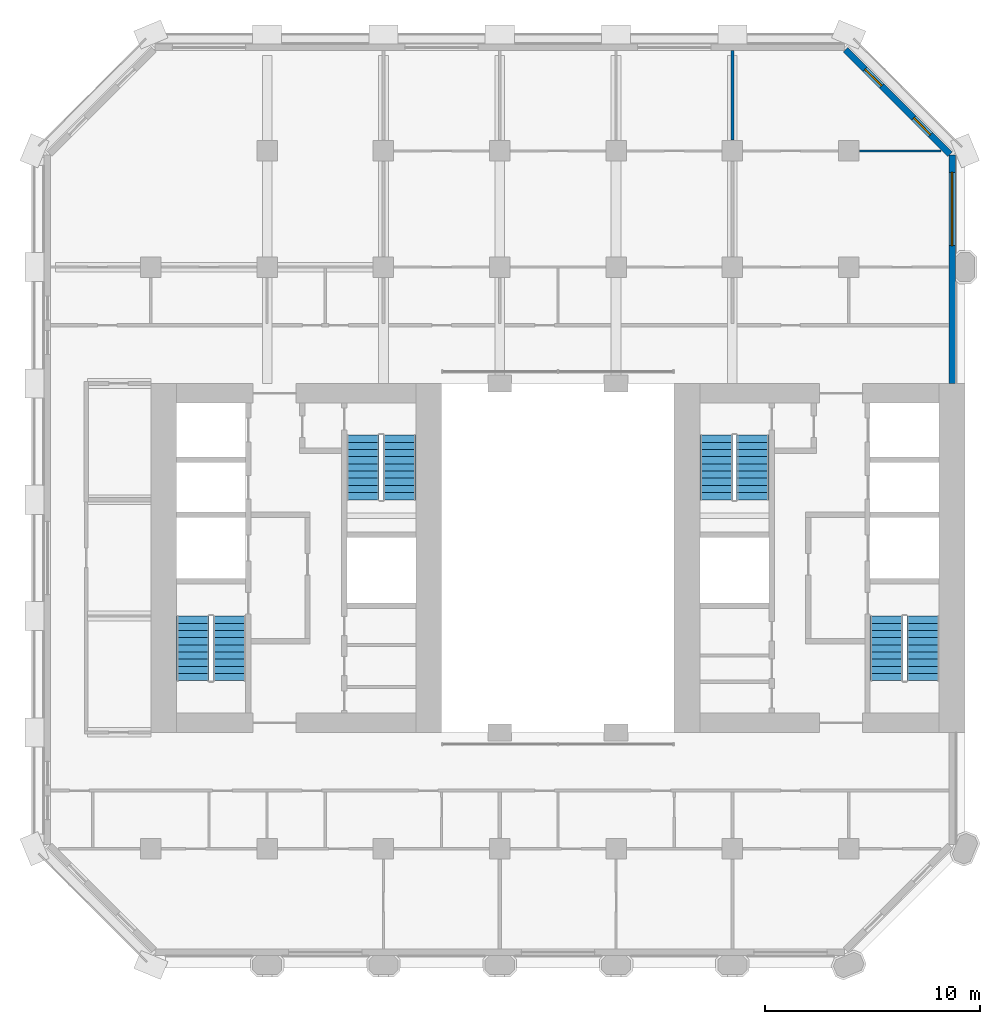
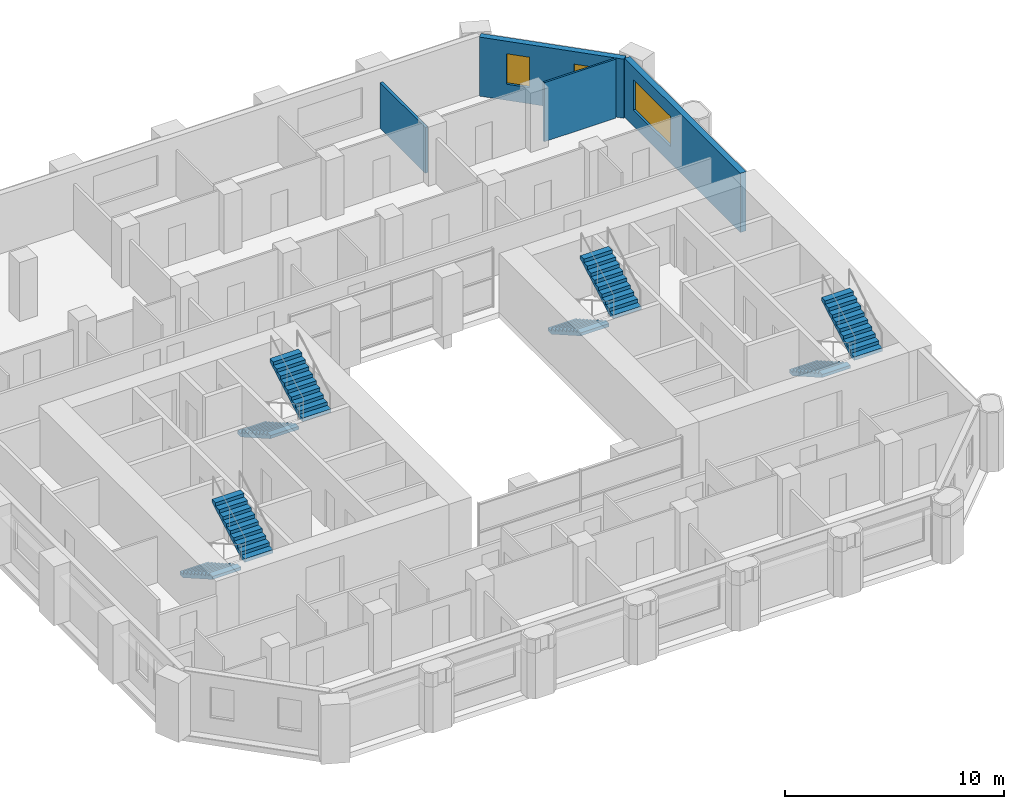
# One storey, part 10 of 13: 8 stair flights, 4 walls, 3 windows, 3 openings, 4 elements without a shape of their own.
"""IFC4 building model written with IfcOpenShell, lengths in metres."""

from ifc_helpers import new_model, si_unit, direction, frame, frame_2d, origin, place, context, subcontext, project, spatial, polyline, rectangle, outline, extrude, material, layer, layer_set, type_object, element, fill, aggregate, save


model = new_model("IFC4")

# Units and contexts
model_context = context("Model", 3, precision=1e-05, world=origin(), true_north=direction((0.0, 1.0)))
body_context = subcontext(model_context, "Body", "Model", "MODEL_VIEW")
ifc_project = project(units=[si_unit("LENGTHUNIT", "METRE"), si_unit("AREAUNIT", "SQUARE_METRE"), si_unit("VOLUMEUNIT", "CUBIC_METRE"), si_unit("PLANEANGLEUNIT", "RADIAN"), si_unit("MASSUNIT", "GRAM", prefix="KILO")], contexts=[model_context])

# Site, building, storey
site_placement = place(None, origin())
site = spatial("IfcSite", under=ifc_project, at=site_placement, CompositionType="ELEMENT")
building_placement = place(site_placement, origin())
building = spatial("IfcBuilding", under=site, at=building_placement, Name="Tabaq Tower and Sports Hall", CompositionType="ELEMENT")
storey_placement = place(building_placement, frame((0.0, 0.0, 122.0)))
storey = spatial("IfcBuildingStorey", under=building, at=storey_placement, Name="L29", CompositionType="ELEMENT", Elevation=122.0)

# Walls
ifc_material_1 = material(Name="Gypsum board on steel studs", Category="steel")
ifc_layer_1 = layer(ifc_material_1, 0.10009765625)
ifc_layer_set_1 = layer_set([ifc_layer_1], Name="Partition 100 Gypsum board")
wall_type_1 = type_object("IfcWallType", Name="Partition 100 Gypsum board", PredefinedType="PARTITIONING", material=ifc_layer_set_1)
wall_1_placement = place(storey_placement, frame((42.087890625, 43.199951171875, 0.0), z_axis=(0.0, 0.0, 1.0), x_axis=(-1.0, 0.0, 0.0)))
element("IfcWall", 1, at=wall_1_placement, inside=storey, type_object=wall_type_1, Name="Partition wall L29", PredefinedType="PARTITIONING", context=body_context, shape_type="SweptSolid", body=[
    extrude(rectangle(XDim=3.79296875, YDim=0.10009765625, at=frame_2d((1.896484375, 0.0))), origin(), (0.0, 0.0, 1.0), 3.300048828125),
])
ifc_material_2 = material(Name="Blockwork", Category="masonry")
ifc_layer_2 = layer(ifc_material_2, 0.14990234375)
ifc_layer_set_2 = layer_set([ifc_layer_2], Name="Separating wall 150 Blockwork")
wall_type_2 = type_object("IfcWallType", Name="Separating wall 150 Blockwork", PredefinedType="PARTITIONING", material=ifc_layer_set_2)
wall_2_placement = place(storey_placement, frame((32.39990234375, 43.695068359375, 0.0), z_axis=(0.0, 0.0, 1.0), x_axis=(0.0, 1.0, 0.0)))
element("IfcWall", 2, at=wall_2_placement, inside=storey, type_object=wall_type_2, Name="Separating wall L29", PredefinedType="PARTITIONING", context=body_context, shape_type="SweptSolid", body=[
    extrude(rectangle(XDim=4.154052734375, YDim=0.14990234375, at=frame_2d((2.0771484375, 0.0))), origin(), (0.0, 0.0, 1.0), 2.550048828125),
])

# Wall, opening, window
ifc_material_3 = material(Name="White precast concrete C60/75", Category="concrete")
ifc_layer_3 = layer(ifc_material_3, 0.300048828125)
ifc_layer_set_3 = layer_set([ifc_layer_3], Name="White precast concrete C60/75 external wall 300")
wall_type_3 = type_object("IfcWallType", Name="White precast concrete C60/75 external wall 300", PredefinedType="SOLIDWALL", material=ifc_layer_set_3)
wall_3_placement = place(storey_placement, frame((42.60009765625, 32.39990234375, 0.0), z_axis=(0.0, 0.0, 1.0), x_axis=(0.0, 1.0, 0.0)))
wall_3 = element("IfcWall", 3, at=wall_3_placement, inside=storey, type_object=wall_type_3, Name="External Wall L29 E", PredefinedType="SOLIDWALL", context=body_context, shape_type="SweptSolid", body=[
    extrude(rectangle(XDim=10.61376953125, YDim=0.300048828125, at=frame_2d((5.306884765625, 0.0))), origin(), (0.0, 0.0, 1.0), 3.300048828125),
])
opening_1_placement = place(wall_3_placement, frame((6.39990234375, 0.0, 0.89990234375)))
opening_1 = element("IfcOpeningElement", 4, at=opening_1_placement, cuts=wall_3, Name="Opening W1A", PredefinedType="OPENING", context=body_context, shape_type="SweptSolid", body=[
    extrude(rectangle(XDim=3.39990234375, YDim=1.699951171875, at=frame_2d((1.699951171875, 0.85009765625))), frame((0.0, 0.16015625, 0.0), z_axis=(0.0, -1.0, 0.0), x_axis=(1.0, 0.0, 0.0)), (0.0, 0.0, 1.0), 0.320068359375),
])
ifc_material_4 = material(Name="Aluminium framed clear glazing", Category="aluminium")
window_type_1 = type_object("IfcWindowType", Name="Window W1A", PartitioningType="SINGLE_PANEL", PredefinedType="WINDOW", material=ifc_material_4)
window_1_placement = place(opening_1_placement, origin())
window_1 = element("IfcWindow", 5, at=window_1_placement, inside=storey, type_object=window_type_1, Name="Window W1A L29", OverallHeight=1.699951171875, OverallWidth=3.39990234375, PartitioningType="SINGLE_PANEL", PredefinedType="WINDOW", context=body_context, shape_type="SweptSolid", body=[
    extrude(rectangle(XDim=3.39990234375, YDim=1.699951171875, at=frame_2d((1.699951171875, 0.85009765625))), frame((0.0, 0.030029296875, 0.0), z_axis=(0.0, -1.0, 0.0), x_axis=(1.0, 0.0, 0.0)), (0.0, 0.0, 1.0), 0.06005859375),
])
fill(opening_1, window_1)

# Wall, openings, windows
wall_4_placement = place(storey_placement, frame((42.5009765625, 43.050537109375, 0.0), z_axis=(0.0, 0.0, 1.0), x_axis=(-0.707106781187, 0.707106781187, 0.0)))
wall_4 = element("IfcWall", 6, at=wall_4_placement, inside=storey, type_object=wall_type_3, Name="External Wall L29 NE", PredefinedType="SOLIDWALL", context=body_context, shape_type="SweptSolid", body=[
    extrude(rectangle(XDim=6.85986328125, YDim=0.300048828125, at=frame_2d((3.429931640625, 0.0))), origin(), (0.0, 0.0, 1.0), 3.300048828125),
])
opening_2_placement = place(wall_4_placement, frame((1.27978515625, 0.0, 0.89990234375)))
opening_2 = element("IfcOpeningElement", 7, at=opening_2_placement, cuts=wall_4, Name="Opening W1B", PredefinedType="OPENING", context=body_context, shape_type="SweptSolid", body=[
    extrude(rectangle(XDim=1.10009765625, YDim=1.699951171875, at=frame_2d((0.550048828125, 0.85009765625))), frame((0.0, 0.16015625, 0.0), z_axis=(0.0, -1.0, 0.0), x_axis=(1.0, 0.0, 0.0)), (0.0, 0.0, 1.0), 0.320068359375),
])
opening_3_placement = place(wall_4_placement, frame((4.479736328125, 0.0, 0.89990234375)))
opening_3 = element("IfcOpeningElement", 8, at=opening_3_placement, cuts=wall_4, Name="Opening W1B", PredefinedType="OPENING", context=body_context, shape_type="SweptSolid", body=[
    extrude(rectangle(XDim=1.10009765625, YDim=1.699951171875, at=frame_2d((0.550048828125, 0.85009765625))), frame((0.0, 0.16015625, 0.0), z_axis=(0.0, -1.0, 0.0), x_axis=(1.0, 0.0, 0.0)), (0.0, 0.0, 1.0), 0.320068359375),
])
ifc_material_5 = material(Name="Aluminium framed clear glazing", Category="aluminium")
window_type_2 = type_object("IfcWindowType", Name="Window W1B", PartitioningType="SINGLE_PANEL", PredefinedType="WINDOW", material=ifc_material_5)
window_2_placement = place(opening_2_placement, origin())
window_2 = element("IfcWindow", 9, at=window_2_placement, inside=storey, type_object=window_type_2, Name="Window W1B L29", OverallHeight=1.699951171875, OverallWidth=1.10009765625, PartitioningType="SINGLE_PANEL", PredefinedType="WINDOW", context=body_context, shape_type="SweptSolid", body=[
    extrude(rectangle(XDim=1.10009765625, YDim=1.699951171875, at=frame_2d((0.550048828125, 0.85009765625))), frame((0.0, 0.030029296875, 0.0), z_axis=(0.0, -1.0, 0.0), x_axis=(1.0, 0.0, 0.0)), (0.0, 0.0, 1.0), 0.06005859375),
])
fill(opening_2, window_2)
window_3_placement = place(opening_3_placement, origin())
window_3 = element("IfcWindow", 10, at=window_3_placement, inside=storey, type_object=window_type_2, Name="Window W1B L29", OverallHeight=1.699951171875, OverallWidth=1.10009765625, PartitioningType="SINGLE_PANEL", PredefinedType="WINDOW", context=body_context, shape_type="SweptSolid", body=[
    extrude(rectangle(XDim=1.10009765625, YDim=1.699951171875, at=frame_2d((0.550048828125, 0.85009765625))), frame((0.0, 0.030029296875, 0.0), z_axis=(0.0, -1.0, 0.0), x_axis=(1.0, 0.0, 0.0)), (0.0, 0.0, 1.0), 0.06005859375),
])
fill(opening_3, window_3)

# Stair, stair flights
ifc_material_6 = material(Name="Concrete C40/50", Category="concrete")
stair_type = type_object("IfcStairType", Name="Exit stair", PredefinedType="HALF_TURN_STAIR", material=ifc_material_6)
stair_1_placement = place(storey_placement, origin())
stair_1 = element("IfcStair", 11, at=stair_1_placement, inside=storey, type_object=stair_type, Name="L29 Exit stair ST1", PredefinedType="HALF_TURN_STAIR")
ifc_material_7 = material(Name="Concrete C40/50", Category="concrete")
stair_flight_type = type_object("IfcStairFlightType", Name="Exit stair flight", PredefinedType="STRAIGHT", material=ifc_material_7)
stair_flight_1_placement = place(storey_placement, frame((7.35009765625, 21.60009765625, 0.0), z_axis=(0.0, 0.0, 1.0), x_axis=(0.0, -1.0, 0.0)))
stair_flight_1 = element("IfcStairFlight", 12, at=stair_flight_1_placement, type_object=stair_flight_type, Name="ST1 flight 1", NumberOfRisers=10, NumberOfTreads=9, PredefinedType="STRAIGHT", RiserHeight=0.19, TreadLength=0.333333333, context=body_context, shape_type="SweptSolid", body=[
    extrude(outline(polyline([(0.0, 0.0), (0.0, 0.18994140625), (0.333251953125, 0.18994140625), (0.333251953125, 0.3798828125), (0.666748046875, 0.3798828125), (0.666748046875, 0.570068359375), (1.0, 0.570068359375), (1.0, 0.760009765625), (1.333251953125, 0.760009765625), (1.333251953125, 0.949951171875), (1.666748046875, 0.949951171875), (1.666748046875, 1.139892578125), (2.0, 1.139892578125), (2.0, 1.330078125), (2.333251953125, 1.330078125), (2.333251953125, 1.52001953125), (2.666748046875, 1.52001953125), (2.666748046875, 1.7099609375), (3.0, 1.7099609375), (3.0, 1.89990234375), (3.0, 1.537353515625), (0.302734375, 0.0), (0.0, 0.0)])), frame((0.0, 0.75, 0.0), z_axis=(0.0, -1.0, 0.0), x_axis=(1.0, 0.0, 0.0)), (0.0, 0.0, 1.0), 1.5),
])
stair_flight_2_placement = place(storey_placement, frame((9.050048828125, 18.60009765625, 1.89990234375), z_axis=(0.0, 0.0, 1.0), x_axis=(0.0, 1.0, 0.0)))
stair_flight_2 = element("IfcStairFlight", 13, at=stair_flight_2_placement, type_object=stair_flight_type, Name="ST1 flight 2", NumberOfRisers=10, NumberOfTreads=9, PredefinedType="STRAIGHT", RiserHeight=0.19, TreadLength=0.333333333, context=body_context, shape_type="SweptSolid", body=[
    extrude(outline(polyline([(0.0, 0.0), (0.0, 0.18994140625), (0.333251953125, 0.18994140625), (0.333251953125, 0.3798828125), (0.666748046875, 0.3798828125), (0.666748046875, 0.570068359375), (1.0, 0.570068359375), (1.0, 0.760009765625), (1.333251953125, 0.760009765625), (1.333251953125, 0.949951171875), (1.666748046875, 0.949951171875), (1.666748046875, 1.139892578125), (2.0, 1.139892578125), (2.0, 1.330078125), (2.333251953125, 1.330078125), (2.333251953125, 1.52001953125), (2.666748046875, 1.52001953125), (2.666748046875, 1.7099609375), (3.0, 1.7099609375), (3.0, 1.89990234375), (3.0, 1.537353515625), (0.302734375, 0.0), (0.0, 0.0)])), frame((0.0, 0.75, 0.0), z_axis=(0.0, -1.0, 0.0), x_axis=(1.0, 0.0, 0.0)), (0.0, 0.0, 1.0), 1.5),
])
aggregate(stair_1, [stair_flight_1, stair_flight_2])

stair_2_placement = place(storey_placement, origin())
stair_2 = element("IfcStair", 14, at=stair_2_placement, inside=storey, type_object=stair_type, Name="L29 Exit stair ST2", PredefinedType="HALF_TURN_STAIR")
stair_flight_3_placement = place(storey_placement, frame((15.25, 30.0, 0.0), z_axis=(0.0, 0.0, 1.0), x_axis=(0.0, -1.0, 0.0)))
stair_flight_3 = element("IfcStairFlight", 15, at=stair_flight_3_placement, type_object=stair_flight_type, Name="ST2 flight 1", NumberOfRisers=10, NumberOfTreads=9, PredefinedType="STRAIGHT", RiserHeight=0.19, TreadLength=0.333333333, context=body_context, shape_type="SweptSolid", body=[
    extrude(outline(polyline([(0.0, 0.0), (0.0, 0.18994140625), (0.333251953125, 0.18994140625), (0.333251953125, 0.3798828125), (0.666748046875, 0.3798828125), (0.666748046875, 0.570068359375), (1.0, 0.570068359375), (1.0, 0.760009765625), (1.333251953125, 0.760009765625), (1.333251953125, 0.949951171875), (1.666748046875, 0.949951171875), (1.666748046875, 1.139892578125), (2.0, 1.139892578125), (2.0, 1.330078125), (2.333251953125, 1.330078125), (2.333251953125, 1.52001953125), (2.666748046875, 1.52001953125), (2.666748046875, 1.7099609375), (3.0, 1.7099609375), (3.0, 1.89990234375), (3.0, 1.537353515625), (0.302734375, 0.0), (0.0, 0.0)])), frame((0.0, 0.75, 0.0), z_axis=(0.0, -1.0, 0.0), x_axis=(1.0, 0.0, 0.0)), (0.0, 0.0, 1.0), 1.5),
])
stair_flight_4_placement = place(storey_placement, frame((16.949951171875, 27.0, 1.89990234375), z_axis=(0.0, 0.0, 1.0), x_axis=(0.0, 1.0, 0.0)))
stair_flight_4 = element("IfcStairFlight", 16, at=stair_flight_4_placement, type_object=stair_flight_type, Name="ST2 flight 2", NumberOfRisers=10, NumberOfTreads=9, PredefinedType="STRAIGHT", RiserHeight=0.19, TreadLength=0.333333333, context=body_context, shape_type="SweptSolid", body=[
    extrude(outline(polyline([(0.0, 0.0), (0.0, 0.18994140625), (0.333251953125, 0.18994140625), (0.333251953125, 0.3798828125), (0.666748046875, 0.3798828125), (0.666748046875, 0.570068359375), (1.0, 0.570068359375), (1.0, 0.760009765625), (1.333251953125, 0.760009765625), (1.333251953125, 0.949951171875), (1.666748046875, 0.949951171875), (1.666748046875, 1.139892578125), (2.0, 1.139892578125), (2.0, 1.330078125), (2.333251953125, 1.330078125), (2.333251953125, 1.52001953125), (2.666748046875, 1.52001953125), (2.666748046875, 1.7099609375), (3.0, 1.7099609375), (3.0, 1.89990234375), (3.0, 1.537353515625), (0.302734375, 0.0), (0.0, 0.0)])), frame((0.0, 0.75, 0.0), z_axis=(0.0, -1.0, 0.0), x_axis=(1.0, 0.0, 0.0)), (0.0, 0.0, 1.0), 1.5),
])
aggregate(stair_2, [stair_flight_3, stair_flight_4])

stair_3_placement = place(storey_placement, origin())
stair_3 = element("IfcStair", 17, at=stair_3_placement, inside=storey, type_object=stair_type, Name="L29 Exit stair ST3", PredefinedType="HALF_TURN_STAIR")
stair_flight_5_placement = place(storey_placement, frame((39.550048828125, 21.60009765625, 0.0), z_axis=(0.0, 0.0, 1.0), x_axis=(0.0, -1.0, 0.0)))
stair_flight_5 = element("IfcStairFlight", 18, at=stair_flight_5_placement, type_object=stair_flight_type, Name="ST3 flight 1", NumberOfRisers=10, NumberOfTreads=9, PredefinedType="STRAIGHT", RiserHeight=0.19, TreadLength=0.333333333, context=body_context, shape_type="SweptSolid", body=[
    extrude(outline(polyline([(0.0, 0.0), (0.0, 0.18994140625), (0.333251953125, 0.18994140625), (0.333251953125, 0.3798828125), (0.666748046875, 0.3798828125), (0.666748046875, 0.570068359375), (1.0, 0.570068359375), (1.0, 0.760009765625), (1.333251953125, 0.760009765625), (1.333251953125, 0.949951171875), (1.666748046875, 0.949951171875), (1.666748046875, 1.139892578125), (2.0, 1.139892578125), (2.0, 1.330078125), (2.333251953125, 1.330078125), (2.333251953125, 1.52001953125), (2.666748046875, 1.52001953125), (2.666748046875, 1.7099609375), (3.0, 1.7099609375), (3.0, 1.89990234375), (3.0, 1.537353515625), (0.302734375, 0.0), (0.0, 0.0)])), frame((0.0, 0.75, 0.0), z_axis=(0.0, -1.0, 0.0), x_axis=(1.0, 0.0, 0.0)), (0.0, 0.0, 1.0), 1.5),
])
stair_flight_6_placement = place(storey_placement, frame((41.25, 18.60009765625, 1.89990234375), z_axis=(0.0, 0.0, 1.0), x_axis=(0.0, 1.0, 0.0)))
stair_flight_6 = element("IfcStairFlight", 19, at=stair_flight_6_placement, type_object=stair_flight_type, Name="ST3 flight 2", NumberOfRisers=10, NumberOfTreads=9, PredefinedType="STRAIGHT", RiserHeight=0.19, TreadLength=0.333333333, context=body_context, shape_type="SweptSolid", body=[
    extrude(outline(polyline([(0.0, 0.0), (0.0, 0.18994140625), (0.333251953125, 0.18994140625), (0.333251953125, 0.3798828125), (0.666748046875, 0.3798828125), (0.666748046875, 0.570068359375), (1.0, 0.570068359375), (1.0, 0.760009765625), (1.333251953125, 0.760009765625), (1.333251953125, 0.949951171875), (1.666748046875, 0.949951171875), (1.666748046875, 1.139892578125), (2.0, 1.139892578125), (2.0, 1.330078125), (2.333251953125, 1.330078125), (2.333251953125, 1.52001953125), (2.666748046875, 1.52001953125), (2.666748046875, 1.7099609375), (3.0, 1.7099609375), (3.0, 1.89990234375), (3.0, 1.537353515625), (0.302734375, 0.0), (0.0, 0.0)])), frame((0.0, 0.75, 0.0), z_axis=(0.0, -1.0, 0.0), x_axis=(1.0, 0.0, 0.0)), (0.0, 0.0, 1.0), 1.5),
])
aggregate(stair_3, [stair_flight_5, stair_flight_6])

stair_4_placement = place(storey_placement, origin())
stair_4 = element("IfcStair", 20, at=stair_4_placement, inside=storey, type_object=stair_type, Name="L29 Exit stair ST4", PredefinedType="HALF_TURN_STAIR")
stair_flight_7_placement = place(storey_placement, frame((31.64990234375, 30.0, 0.0), z_axis=(0.0, 0.0, 1.0), x_axis=(0.0, -1.0, 0.0)))
stair_flight_7 = element("IfcStairFlight", 21, at=stair_flight_7_placement, type_object=stair_flight_type, Name="ST4 flight 1", NumberOfRisers=10, NumberOfTreads=9, PredefinedType="STRAIGHT", RiserHeight=0.19, TreadLength=0.333333333, context=body_context, shape_type="SweptSolid", body=[
    extrude(outline(polyline([(0.0, 0.0), (0.0, 0.18994140625), (0.333251953125, 0.18994140625), (0.333251953125, 0.3798828125), (0.666748046875, 0.3798828125), (0.666748046875, 0.570068359375), (1.0, 0.570068359375), (1.0, 0.760009765625), (1.333251953125, 0.760009765625), (1.333251953125, 0.949951171875), (1.666748046875, 0.949951171875), (1.666748046875, 1.139892578125), (2.0, 1.139892578125), (2.0, 1.330078125), (2.333251953125, 1.330078125), (2.333251953125, 1.52001953125), (2.666748046875, 1.52001953125), (2.666748046875, 1.7099609375), (3.0, 1.7099609375), (3.0, 1.89990234375), (3.0, 1.537353515625), (0.302734375, 0.0), (0.0, 0.0)])), frame((0.0, 0.75, 0.0), z_axis=(0.0, -1.0, 0.0), x_axis=(1.0, 0.0, 0.0)), (0.0, 0.0, 1.0), 1.5),
])
stair_flight_8_placement = place(storey_placement, frame((33.35009765625, 27.0, 1.89990234375), z_axis=(0.0, 0.0, 1.0), x_axis=(0.0, 1.0, 0.0)))
stair_flight_8 = element("IfcStairFlight", 22, at=stair_flight_8_placement, type_object=stair_flight_type, Name="ST4 flight 2", NumberOfRisers=10, NumberOfTreads=9, PredefinedType="STRAIGHT", RiserHeight=0.19, TreadLength=0.333333333, context=body_context, shape_type="SweptSolid", body=[
    extrude(outline(polyline([(0.0, 0.0), (0.0, 0.18994140625), (0.333251953125, 0.18994140625), (0.333251953125, 0.3798828125), (0.666748046875, 0.3798828125), (0.666748046875, 0.570068359375), (1.0, 0.570068359375), (1.0, 0.760009765625), (1.333251953125, 0.760009765625), (1.333251953125, 0.949951171875), (1.666748046875, 0.949951171875), (1.666748046875, 1.139892578125), (2.0, 1.139892578125), (2.0, 1.330078125), (2.333251953125, 1.330078125), (2.333251953125, 1.52001953125), (2.666748046875, 1.52001953125), (2.666748046875, 1.7099609375), (3.0, 1.7099609375), (3.0, 1.89990234375), (3.0, 1.537353515625), (0.302734375, 0.0), (0.0, 0.0)])), frame((0.0, 0.75, 0.0), z_axis=(0.0, -1.0, 0.0), x_axis=(1.0, 0.0, 0.0)), (0.0, 0.0, 1.0), 1.5),
])
aggregate(stair_4, [stair_flight_7, stair_flight_8])

save(model, "model.ifc")
